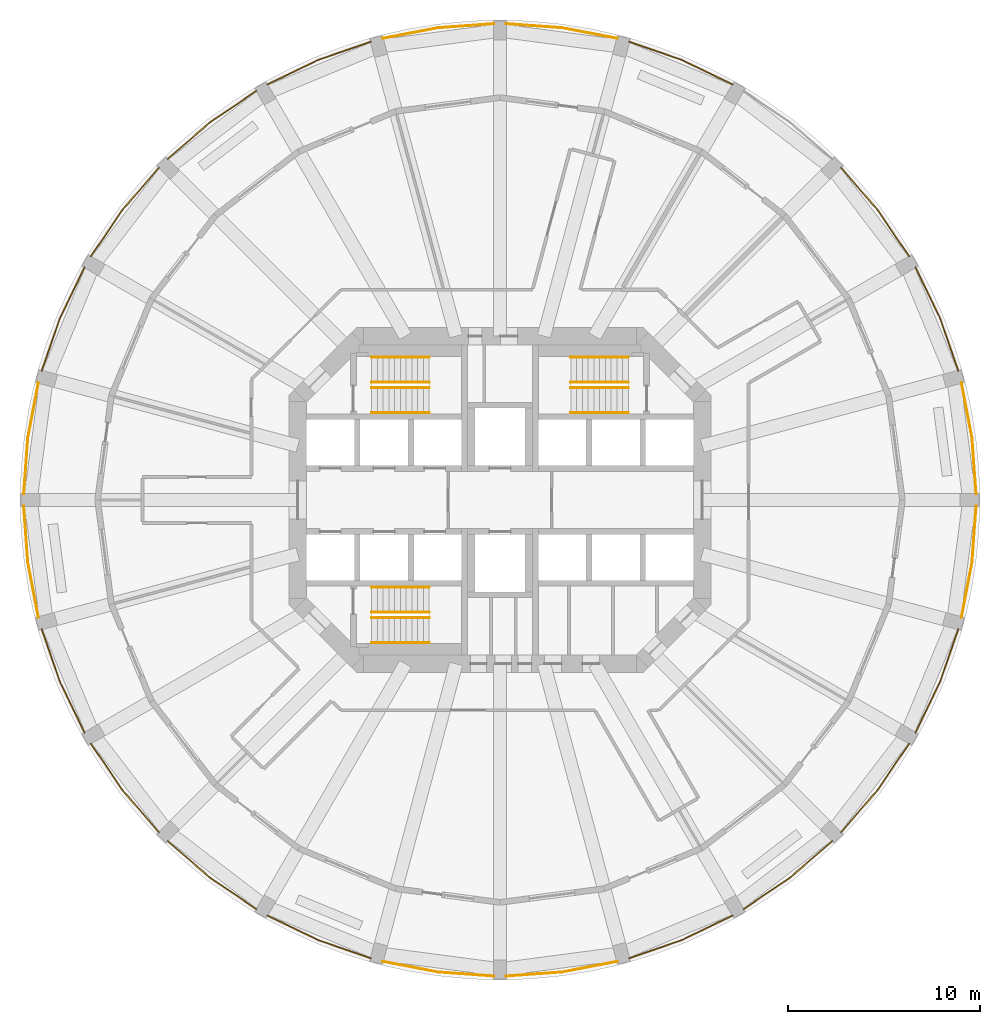
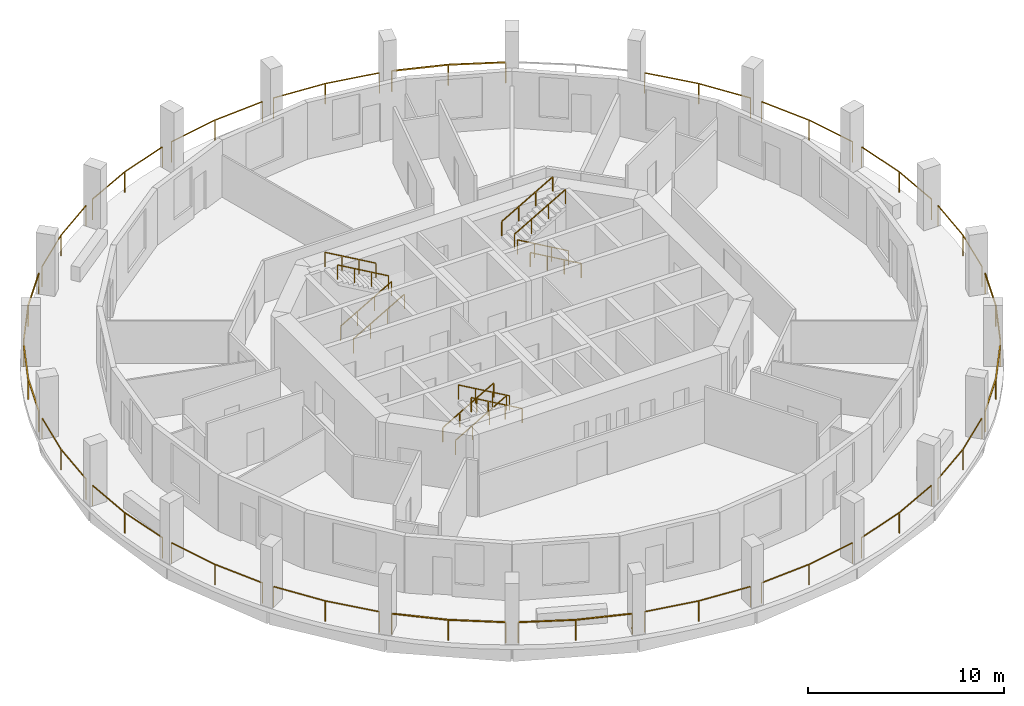
# One storey, part 7 of 8: 35 railings.
"""IFC4 building model written with IfcOpenShell, lengths in metres."""

from ifc_helpers import new_model, si_unit, direction, frame, origin, origin_2d, place, context, subcontext, project, spatial, rectangle, extrude, material, type_object, element, save


model = new_model("IFC4")

# Units and contexts
model_context = context("Model", 3, precision=1e-05, world=origin(), true_north=direction((0.0, 1.0)))
body_context = subcontext(model_context, "Body", "Model", "MODEL_VIEW")
ifc_project = project(units=[si_unit("LENGTHUNIT", "METRE"), si_unit("AREAUNIT", "SQUARE_METRE"), si_unit("VOLUMEUNIT", "CUBIC_METRE"), si_unit("PLANEANGLEUNIT", "RADIAN"), si_unit("MASSUNIT", "GRAM", prefix="KILO")], contexts=[model_context])

# Site, building, storey
site_placement = place(None, origin())
site = spatial("IfcSite", under=ifc_project, at=site_placement, CompositionType="ELEMENT")
building_placement = place(site_placement, origin())
building = spatial("IfcBuilding", under=site, at=building_placement, Name="Torre Triforio", CompositionType="ELEMENT")
storey_placement = place(building_placement, frame((0.0, 0.0, 142.800048828125)))
storey = spatial("IfcBuildingStorey", under=building, at=storey_placement, Name="L32", CompositionType="ELEMENT", Elevation=142.800048828125)

# Railings
ifc_material = material(Name="Stainless steel AISI 316", Category="steel")
railing_type_1 = type_object("IfcRailingType", Name="HANDRAIL 920", PredefinedType="HANDRAIL", material=ifc_material)
for number, where, name in (
    (1, (-6.699951171875, 4.550048828125, 0.172607421875), "Handrail ST1"),
    (2, (-6.699951171875, 5.85009765625, 0.172607421875), "Handrail ST1"),
):
    element("IfcRailing", number, at=place(storey_placement, frame(where)), inside=storey, type_object=railing_type_1, Name=name, PredefinedType="HANDRAIL", context=body_context, shape_type="SweptSolid", body=[
        extrude(rectangle(XDim=0.048095703125, YDim=0.048095703125, at=origin_2d()), frame((0.0, 0.0, 0.89599609375), z_axis=(0.866619684472, 0.0, 0.498969260062), x_axis=(0.0, 1.0, 0.0)), (0.0, 0.0, 1.0), 3.461669921875),
        extrude(rectangle(XDim=0.0419921875, YDim=0.0419921875, at=origin_2d()), origin(), (0.0, 0.0, 1.0), 0.871826171875),
        extrude(rectangle(XDim=0.0419921875, YDim=0.0419921875, at=origin_2d()), frame((1.0, 0.0, 0.57568359375)), (0.0, 0.0, 1.0), 0.871826171875),
        extrude(rectangle(XDim=0.0419921875, YDim=0.0419921875, at=origin_2d()), frame((2.0, 0.0, 1.151611328125)), (0.0, 0.0, 1.0), 0.871826171875),
        extrude(rectangle(XDim=0.0419921875, YDim=0.0419921875, at=origin_2d()), frame((3.0, 0.0, 1.727294921875)), (0.0, 0.0, 1.0), 0.871826171875),
    ])
for number, where, name in (
    (3, (-3.699951171875, 7.449951171875, 2.07275390625), "Handrail ST1"),
    (4, (-3.699951171875, 6.14990234375, 2.07275390625), "Handrail ST1"),
    (5, (6.699951171875, 4.550048828125, 0.172607421875), "Handrail ST2"),
    (6, (6.699951171875, 5.85009765625, 0.172607421875), "Handrail ST2"),
):
    element("IfcRailing", number, at=place(storey_placement, frame(where)), inside=storey, type_object=railing_type_1, Name=name, PredefinedType="HANDRAIL", context=body_context, shape_type="SweptSolid", body=[
        extrude(rectangle(XDim=0.048095703125, YDim=0.048095703125, at=origin_2d()), frame((0.0, 0.0, 0.89599609375), z_axis=(-0.866619684472, 0.0, 0.498969260062), x_axis=(0.0, -1.0, 0.0)), (0.0, 0.0, 1.0), 3.461669921875),
        extrude(rectangle(XDim=0.0419921875, YDim=0.0419921875, at=origin_2d()), origin(), (0.0, 0.0, 1.0), 0.871826171875),
        extrude(rectangle(XDim=0.0419921875, YDim=0.0419921875, at=origin_2d()), frame((-1.0, 0.0, 0.57568359375)), (0.0, 0.0, 1.0), 0.871826171875),
        extrude(rectangle(XDim=0.0419921875, YDim=0.0419921875, at=origin_2d()), frame((-2.0, 0.0, 1.151611328125)), (0.0, 0.0, 1.0), 0.871826171875),
        extrude(rectangle(XDim=0.0419921875, YDim=0.0419921875, at=origin_2d()), frame((-3.0, 0.0, 1.727294921875)), (0.0, 0.0, 1.0), 0.871826171875),
    ])
for number, where, name in (
    (7, (3.699951171875, 7.449951171875, 2.07275390625), "Handrail ST2"),
    (8, (3.699951171875, 6.14990234375, 2.07275390625), "Handrail ST2"),
    (9, (-6.699951171875, -4.550048828125, 0.172607421875), "Handrail ST3"),
    (10, (-6.699951171875, -5.85009765625, 0.172607421875), "Handrail ST3"),
):
    element("IfcRailing", number, at=place(storey_placement, frame(where)), inside=storey, type_object=railing_type_1, Name=name, PredefinedType="HANDRAIL", context=body_context, shape_type="SweptSolid", body=[
        extrude(rectangle(XDim=0.048095703125, YDim=0.048095703125, at=origin_2d()), frame((0.0, 0.0, 0.89599609375), z_axis=(0.866619684472, 0.0, 0.498969260062), x_axis=(0.0, 1.0, 0.0)), (0.0, 0.0, 1.0), 3.461669921875),
        extrude(rectangle(XDim=0.0419921875, YDim=0.0419921875, at=origin_2d()), origin(), (0.0, 0.0, 1.0), 0.871826171875),
        extrude(rectangle(XDim=0.0419921875, YDim=0.0419921875, at=origin_2d()), frame((1.0, 0.0, 0.57568359375)), (0.0, 0.0, 1.0), 0.871826171875),
        extrude(rectangle(XDim=0.0419921875, YDim=0.0419921875, at=origin_2d()), frame((2.0, 0.0, 1.151611328125)), (0.0, 0.0, 1.0), 0.871826171875),
        extrude(rectangle(XDim=0.0419921875, YDim=0.0419921875, at=origin_2d()), frame((3.0, 0.0, 1.727294921875)), (0.0, 0.0, 1.0), 0.871826171875),
    ])
for number, where, name in (
    (11, (-3.699951171875, -7.449951171875, 2.07275390625), "Handrail ST3"),
    (12, (-3.699951171875, -6.14990234375, 2.07275390625), "Handrail ST3"),
):
    element("IfcRailing", number, at=place(storey_placement, frame(where)), inside=storey, type_object=railing_type_1, Name=name, PredefinedType="HANDRAIL", context=body_context, shape_type="SweptSolid", body=[
        extrude(rectangle(XDim=0.048095703125, YDim=0.048095703125, at=origin_2d()), frame((0.0, 0.0, 0.89599609375), z_axis=(-0.866619684472, 0.0, 0.498969260062), x_axis=(0.0, -1.0, 0.0)), (0.0, 0.0, 1.0), 3.461669921875),
        extrude(rectangle(XDim=0.0419921875, YDim=0.0419921875, at=origin_2d()), origin(), (0.0, 0.0, 1.0), 0.871826171875),
        extrude(rectangle(XDim=0.0419921875, YDim=0.0419921875, at=origin_2d()), frame((-1.0, 0.0, 0.57568359375)), (0.0, 0.0, 1.0), 0.871826171875),
        extrude(rectangle(XDim=0.0419921875, YDim=0.0419921875, at=origin_2d()), frame((-2.0, 0.0, 1.151611328125)), (0.0, 0.0, 1.0), 0.871826171875),
        extrude(rectangle(XDim=0.0419921875, YDim=0.0419921875, at=origin_2d()), frame((-3.0, 0.0, 1.727294921875)), (0.0, 0.0, 1.0), 0.871826171875),
    ])
railing_type_2 = type_object("IfcRailingType", Name="Loggia guard 1300", PredefinedType="GUARDRAIL", material=ifc_material)
railing_1_placement = place(storey_placement, frame((24.85009765625, 0.320068359375, 0.0)))
element("IfcRailing", 13, at=railing_1_placement, inside=storey, type_object=railing_type_2, Name="Loggia guard L32 bay 01", PredefinedType="GUARDRAIL", context=body_context, shape_type="SweptSolid", body=[
    extrude(rectangle(XDim=0.050048828125, YDim=0.050048828125, at=origin_2d()), frame((0.0, 0.0, 1.27490234375), z_axis=(-0.072543227511, 0.997365269168, 0.0), x_axis=(-0.997365269168, -0.072543227511, 0.0)), (0.0, 0.0, 1.0), 2.931396484375),
    extrude(rectangle(XDim=0.050048828125, YDim=0.050048828125, at=origin_2d()), frame((-0.212646484375, 2.923583984375, 1.27490234375), z_axis=(-0.188068851895, 0.982155846568, 0.0), x_axis=(-0.982155846568, -0.188068851895, 0.0)), (0.0, 0.0, 1.0), 2.93115234375),
    extrude(rectangle(XDim=0.0400390625, YDim=0.0400390625, at=origin_2d()), origin(), (0.0, 0.0, 1.0), 1.25),
    extrude(rectangle(XDim=0.0400390625, YDim=0.0400390625, at=origin_2d()), frame((-0.212646484375, 2.923583984375, 0.0)), (0.0, 0.0, 1.0), 1.25),
    extrude(rectangle(XDim=0.0400390625, YDim=0.0400390625, at=origin_2d()), frame((-0.763916015625, 5.802490234375, 0.0)), (0.0, 0.0, 1.0), 1.25),
])
railing_2_placement = place(storey_placement, frame((23.92041015625, 6.74072265625, 0.0)))
element("IfcRailing", 14, at=railing_2_placement, inside=storey, type_object=railing_type_2, Name="Loggia guard L32 bay 02", PredefinedType="GUARDRAIL", context=body_context, shape_type="SweptSolid", body=[
    extrude(rectangle(XDim=0.050048828125, YDim=0.050048828125, at=origin_2d()), frame((0.0, 0.0, 1.27490234375), z_axis=(-0.328145883403, 0.944627058264, 0.0), x_axis=(-0.944627058264, -0.328145883403, 0.0)), (0.0, 0.0, 1.0), 2.931396484375),
    extrude(rectangle(XDim=0.050048828125, YDim=0.050048828125, at=origin_2d()), frame((-0.9619140625, 2.76904296875, 1.27490234375), z_axis=(-0.435917913275, 0.899986429279, 0.0), x_axis=(-0.899986429279, -0.435917913275, 0.0)), (0.0, 0.0, 1.0), 2.931396484375),
    extrude(rectangle(XDim=0.0400390625, YDim=0.0400390625, at=origin_2d()), origin(), (0.0, 0.0, 1.0), 1.25),
    extrude(rectangle(XDim=0.0400390625, YDim=0.0400390625, at=origin_2d()), frame((-0.9619140625, 2.76904296875, 0.0)), (0.0, 0.0, 1.0), 1.25),
    extrude(rectangle(XDim=0.0400390625, YDim=0.0400390625, at=origin_2d()), frame((-2.23974609375, 5.4072265625, 0.0)), (0.0, 0.0, 1.0), 1.25),
])
railing_3_placement = place(storey_placement, frame((21.360595703125, 12.7021484375, 0.0)))
element("IfcRailing", 15, at=railing_3_placement, inside=storey, type_object=railing_type_2, Name="Loggia guard L32 bay 03", PredefinedType="GUARDRAIL", context=body_context, shape_type="SweptSolid", body=[
    extrude(rectangle(XDim=0.050048828125, YDim=0.050048828125, at=origin_2d()), frame((0.0, 0.0, 1.27490234375), z_axis=(-0.561466791934, 0.827499269821, 0.0), x_axis=(-0.827499269821, -0.561466791934, 0.0)), (0.0, 0.0, 1.0), 2.93115234375),
    extrude(rectangle(XDim=0.050048828125, YDim=0.050048828125, at=origin_2d()), frame((-1.645751953125, 2.425537109375, 1.27490234375), z_axis=(-0.653981928353, 0.756510170049, 0.0), x_axis=(-0.756510170049, -0.653981928353, 0.0)), (0.0, 0.0, 1.0), 2.93115234375),
    extrude(rectangle(XDim=0.0400390625, YDim=0.0400390625, at=origin_2d()), origin(), (0.0, 0.0, 1.0), 1.25),
    extrude(rectangle(XDim=0.0400390625, YDim=0.0400390625, at=origin_2d()), frame((-1.645751953125, 2.425537109375, 0.0)), (0.0, 0.0, 1.0), 1.25),
    extrude(rectangle(XDim=0.0400390625, YDim=0.0400390625, at=origin_2d()), frame((-3.562744140625, 4.64306640625, 0.0)), (0.0, 0.0, 1.0), 1.25),
])
railing_4_placement = place(storey_placement, frame((12.14794921875, 21.6806640625, 0.0)))
element("IfcRailing", 16, at=railing_4_placement, inside=storey, type_object=railing_type_2, Name="Loggia guard L32 bay 05", PredefinedType="GUARDRAIL", context=body_context, shape_type="SweptSolid", body=[
    extrude(rectangle(XDim=0.050048828125, YDim=0.050048828125, at=origin_2d()), frame((0.0, 0.0, 1.27490234375), z_axis=(-0.899986429279, 0.435917913275, 0.0), x_axis=(-0.435917913275, -0.899986429279, 0.0)), (0.0, 0.0, 1.0), 2.931396484375),
    extrude(rectangle(XDim=0.050048828125, YDim=0.050048828125, at=origin_2d()), frame((-2.63818359375, 1.27783203125, 1.27490234375), z_axis=(-0.944627058264, 0.328145883403, 0.0), x_axis=(-0.328145883403, -0.944627058264, 0.0)), (0.0, 0.0, 1.0), 2.931396484375),
    extrude(rectangle(XDim=0.0400390625, YDim=0.0400390625, at=origin_2d()), origin(), (0.0, 0.0, 1.0), 1.25),
    extrude(rectangle(XDim=0.0400390625, YDim=0.0400390625, at=origin_2d()), frame((-2.63818359375, 1.27783203125, 0.0)), (0.0, 0.0, 1.0), 1.25),
    extrude(rectangle(XDim=0.0400390625, YDim=0.0400390625, at=origin_2d()), frame((-5.4072265625, 2.23974609375, 0.0)), (0.0, 0.0, 1.0), 1.25),
])
railing_5_placement = place(storey_placement, frame((6.12255859375, 24.086181640625, 0.0)))
element("IfcRailing", 17, at=railing_5_placement, inside=storey, type_object=railing_type_2, Name="Loggia guard L32 bay 06", PredefinedType="GUARDRAIL", context=body_context, shape_type="SweptSolid", body=[
    extrude(rectangle(XDim=0.050048828125, YDim=0.050048828125, at=origin_2d()), frame((0.0, 0.0, 1.27490234375), z_axis=(-0.982155846568, 0.188068851895, 0.0), x_axis=(-0.188068851895, -0.982155846568, 0.0)), (0.0, 0.0, 1.0), 2.93115234375),
    extrude(rectangle(XDim=0.050048828125, YDim=0.050048828125, at=origin_2d()), frame((-2.87890625, 0.55126953125, 1.27490234375), z_axis=(-0.997365269168, 0.072543227511, 0.0), x_axis=(-0.072543227511, -0.997365269168, 0.0)), (0.0, 0.0, 1.0), 2.931396484375),
    extrude(rectangle(XDim=0.0400390625, YDim=0.0400390625, at=origin_2d()), origin(), (0.0, 0.0, 1.0), 1.25),
    extrude(rectangle(XDim=0.0400390625, YDim=0.0400390625, at=origin_2d()), frame((-2.87890625, 0.55126953125, 0.0)), (0.0, 0.0, 1.0), 1.25),
    extrude(rectangle(XDim=0.0400390625, YDim=0.0400390625, at=origin_2d()), frame((-5.802490234375, 0.763916015625, 0.0)), (0.0, 0.0, 1.0), 1.25),
])
railing_6_placement = place(storey_placement, frame((-0.320068359375, 24.85009765625, 0.0)))
element("IfcRailing", 18, at=railing_6_placement, inside=storey, type_object=railing_type_2, Name="Loggia guard L32 bay 07", PredefinedType="GUARDRAIL", context=body_context, shape_type="SweptSolid", body=[
    extrude(rectangle(XDim=0.050048828125, YDim=0.050048828125, at=origin_2d()), frame((0.0, 0.0, 1.27490234375), z_axis=(-0.997365269168, -0.072543227511, 0.0), x_axis=(0.072543227511, -0.997365269168, 0.0)), (0.0, 0.0, 1.0), 2.931396484375),
    extrude(rectangle(XDim=0.050048828125, YDim=0.050048828125, at=origin_2d()), frame((-2.923583984375, -0.212646484375, 1.27490234375), z_axis=(-0.982155846568, -0.188068851895, 0.0), x_axis=(0.188068851895, -0.982155846568, 0.0)), (0.0, 0.0, 1.0), 2.93115234375),
    extrude(rectangle(XDim=0.0400390625, YDim=0.0400390625, at=origin_2d()), origin(), (0.0, 0.0, 1.0), 1.25),
    extrude(rectangle(XDim=0.0400390625, YDim=0.0400390625, at=origin_2d()), frame((-2.923583984375, -0.212646484375, 0.0)), (0.0, 0.0, 1.0), 1.25),
    extrude(rectangle(XDim=0.0400390625, YDim=0.0400390625, at=origin_2d()), frame((-5.802490234375, -0.763916015625, 0.0)), (0.0, 0.0, 1.0), 1.25),
])
railing_7_placement = place(storey_placement, frame((-6.74072265625, 23.92041015625, 0.0)))
element("IfcRailing", 19, at=railing_7_placement, inside=storey, type_object=railing_type_2, Name="Loggia guard L32 bay 08", PredefinedType="GUARDRAIL", context=body_context, shape_type="SweptSolid", body=[
    extrude(rectangle(XDim=0.050048828125, YDim=0.050048828125, at=origin_2d()), frame((0.0, 0.0, 1.27490234375), z_axis=(-0.944627058264, -0.328145883403, 0.0), x_axis=(0.328145883403, -0.944627058264, 0.0)), (0.0, 0.0, 1.0), 2.931396484375),
    extrude(rectangle(XDim=0.050048828125, YDim=0.050048828125, at=origin_2d()), frame((-2.76904296875, -0.9619140625, 1.27490234375), z_axis=(-0.899986429279, -0.435917913275, 0.0), x_axis=(0.435917913275, -0.899986429279, 0.0)), (0.0, 0.0, 1.0), 2.931396484375),
    extrude(rectangle(XDim=0.0400390625, YDim=0.0400390625, at=origin_2d()), origin(), (0.0, 0.0, 1.0), 1.25),
    extrude(rectangle(XDim=0.0400390625, YDim=0.0400390625, at=origin_2d()), frame((-2.76904296875, -0.9619140625, 0.0)), (0.0, 0.0, 1.0), 1.25),
    extrude(rectangle(XDim=0.0400390625, YDim=0.0400390625, at=origin_2d()), frame((-5.4072265625, -2.23974609375, 0.0)), (0.0, 0.0, 1.0), 1.25),
])
railing_8_placement = place(storey_placement, frame((-12.7021484375, 21.360595703125, 0.0)))
element("IfcRailing", 20, at=railing_8_placement, inside=storey, type_object=railing_type_2, Name="Loggia guard L32 bay 09", PredefinedType="GUARDRAIL", context=body_context, shape_type="SweptSolid", body=[
    extrude(rectangle(XDim=0.050048828125, YDim=0.050048828125, at=origin_2d()), frame((0.0, 0.0, 1.27490234375), z_axis=(-0.827499269821, -0.561466791934, 0.0), x_axis=(0.561466791934, -0.827499269821, 0.0)), (0.0, 0.0, 1.0), 2.93115234375),
    extrude(rectangle(XDim=0.050048828125, YDim=0.050048828125, at=origin_2d()), frame((-2.425537109375, -1.645751953125, 1.27490234375), z_axis=(-0.756510170049, -0.653981928353, 0.0), x_axis=(0.653981928353, -0.756510170049, 0.0)), (0.0, 0.0, 1.0), 2.93115234375),
    extrude(rectangle(XDim=0.0400390625, YDim=0.0400390625, at=origin_2d()), origin(), (0.0, 0.0, 1.0), 1.25),
    extrude(rectangle(XDim=0.0400390625, YDim=0.0400390625, at=origin_2d()), frame((-2.425537109375, -1.645751953125, 0.0)), (0.0, 0.0, 1.0), 1.25),
    extrude(rectangle(XDim=0.0400390625, YDim=0.0400390625, at=origin_2d()), frame((-4.64306640625, -3.562744140625, 0.0)), (0.0, 0.0, 1.0), 1.25),
])
railing_9_placement = place(storey_placement, frame((-17.7978515625, 17.34521484375, 0.0)))
element("IfcRailing", 21, at=railing_9_placement, inside=storey, type_object=railing_type_2, Name="Loggia guard L32 bay 10", PredefinedType="GUARDRAIL", context=body_context, shape_type="SweptSolid", body=[
    extrude(rectangle(XDim=0.050048828125, YDim=0.050048828125, at=origin_2d()), frame((0.0, 0.0, 1.27490234375), z_axis=(-0.653981928353, -0.756510170049, 0.0), x_axis=(0.756510170049, -0.653981928353, 0.0)), (0.0, 0.0, 1.0), 2.93115234375),
    extrude(rectangle(XDim=0.050048828125, YDim=0.050048828125, at=origin_2d()), frame((-1.9169921875, -2.217529296875, 1.27490234375), z_axis=(-0.561466791934, -0.827499269821, 0.0), x_axis=(0.827499269821, -0.561466791934, 0.0)), (0.0, 0.0, 1.0), 2.93115234375),
    extrude(rectangle(XDim=0.0400390625, YDim=0.0400390625, at=origin_2d()), origin(), (0.0, 0.0, 1.0), 1.25),
    extrude(rectangle(XDim=0.0400390625, YDim=0.0400390625, at=origin_2d()), frame((-1.9169921875, -2.217529296875, 0.0)), (0.0, 0.0, 1.0), 1.25),
    extrude(rectangle(XDim=0.0400390625, YDim=0.0400390625, at=origin_2d()), frame((-3.562744140625, -4.64306640625, 0.0)), (0.0, 0.0, 1.0), 1.25),
])
railing_10_placement = place(storey_placement, frame((-21.6806640625, 12.14794921875, 0.0)))
element("IfcRailing", 22, at=railing_10_placement, inside=storey, type_object=railing_type_2, Name="Loggia guard L32 bay 11", PredefinedType="GUARDRAIL", context=body_context, shape_type="SweptSolid", body=[
    extrude(rectangle(XDim=0.050048828125, YDim=0.050048828125, at=origin_2d()), frame((0.0, 0.0, 1.27490234375), z_axis=(-0.435917913275, -0.899986429279, 0.0), x_axis=(0.899986429279, -0.435917913275, 0.0)), (0.0, 0.0, 1.0), 2.931396484375),
    extrude(rectangle(XDim=0.050048828125, YDim=0.050048828125, at=origin_2d()), frame((-1.27783203125, -2.63818359375, 1.27490234375), z_axis=(-0.328145883403, -0.944627058264, 0.0), x_axis=(0.944627058264, -0.328145883403, 0.0)), (0.0, 0.0, 1.0), 2.931396484375),
    extrude(rectangle(XDim=0.0400390625, YDim=0.0400390625, at=origin_2d()), origin(), (0.0, 0.0, 1.0), 1.25),
    extrude(rectangle(XDim=0.0400390625, YDim=0.0400390625, at=origin_2d()), frame((-1.27783203125, -2.63818359375, 0.0)), (0.0, 0.0, 1.0), 1.25),
    extrude(rectangle(XDim=0.0400390625, YDim=0.0400390625, at=origin_2d()), frame((-2.23974609375, -5.4072265625, 0.0)), (0.0, 0.0, 1.0), 1.25),
])
railing_11_placement = place(storey_placement, frame((-24.086181640625, 6.12255859375, 0.0)))
element("IfcRailing", 23, at=railing_11_placement, inside=storey, type_object=railing_type_2, Name="Loggia guard L32 bay 12", PredefinedType="GUARDRAIL", context=body_context, shape_type="SweptSolid", body=[
    extrude(rectangle(XDim=0.050048828125, YDim=0.050048828125, at=origin_2d()), frame((0.0, 0.0, 1.27490234375), z_axis=(-0.188068851895, -0.982155846568, 0.0), x_axis=(0.982155846568, -0.188068851895, 0.0)), (0.0, 0.0, 1.0), 2.93115234375),
    extrude(rectangle(XDim=0.050048828125, YDim=0.050048828125, at=origin_2d()), frame((-0.55126953125, -2.87890625, 1.27490234375), z_axis=(-0.072543227511, -0.997365269168, 0.0), x_axis=(0.997365269168, -0.072543227511, 0.0)), (0.0, 0.0, 1.0), 2.931396484375),
    extrude(rectangle(XDim=0.0400390625, YDim=0.0400390625, at=origin_2d()), origin(), (0.0, 0.0, 1.0), 1.25),
    extrude(rectangle(XDim=0.0400390625, YDim=0.0400390625, at=origin_2d()), frame((-0.55126953125, -2.87890625, 0.0)), (0.0, 0.0, 1.0), 1.25),
    extrude(rectangle(XDim=0.0400390625, YDim=0.0400390625, at=origin_2d()), frame((-0.763916015625, -5.802490234375, 0.0)), (0.0, 0.0, 1.0), 1.25),
])
railing_12_placement = place(storey_placement, frame((-24.85009765625, -0.320068359375, 0.0)))
element("IfcRailing", 24, at=railing_12_placement, inside=storey, type_object=railing_type_2, Name="Loggia guard L32 bay 13", PredefinedType="GUARDRAIL", context=body_context, shape_type="SweptSolid", body=[
    extrude(rectangle(XDim=0.050048828125, YDim=0.050048828125, at=origin_2d()), frame((0.0, 0.0, 1.27490234375), z_axis=(0.072543227511, -0.997365269168, 0.0), x_axis=(0.997365269168, 0.072543227511, 0.0)), (0.0, 0.0, 1.0), 2.931396484375),
    extrude(rectangle(XDim=0.050048828125, YDim=0.050048828125, at=origin_2d()), frame((0.212646484375, -2.923583984375, 1.27490234375), z_axis=(0.188068851895, -0.982155846568, 0.0), x_axis=(0.982155846568, 0.188068851895, 0.0)), (0.0, 0.0, 1.0), 2.93115234375),
    extrude(rectangle(XDim=0.0400390625, YDim=0.0400390625, at=origin_2d()), origin(), (0.0, 0.0, 1.0), 1.25),
    extrude(rectangle(XDim=0.0400390625, YDim=0.0400390625, at=origin_2d()), frame((0.212646484375, -2.923583984375, 0.0)), (0.0, 0.0, 1.0), 1.25),
    extrude(rectangle(XDim=0.0400390625, YDim=0.0400390625, at=origin_2d()), frame((0.763916015625, -5.802490234375, 0.0)), (0.0, 0.0, 1.0), 1.25),
])
railing_13_placement = place(storey_placement, frame((-23.92041015625, -6.74072265625, 0.0)))
element("IfcRailing", 25, at=railing_13_placement, inside=storey, type_object=railing_type_2, Name="Loggia guard L32 bay 14", PredefinedType="GUARDRAIL", context=body_context, shape_type="SweptSolid", body=[
    extrude(rectangle(XDim=0.050048828125, YDim=0.050048828125, at=origin_2d()), frame((0.0, 0.0, 1.27490234375), z_axis=(0.328145883403, -0.944627058264, 0.0), x_axis=(0.944627058264, 0.328145883403, 0.0)), (0.0, 0.0, 1.0), 2.931396484375),
    extrude(rectangle(XDim=0.050048828125, YDim=0.050048828125, at=origin_2d()), frame((0.9619140625, -2.76904296875, 1.27490234375), z_axis=(0.435917913275, -0.899986429279, 0.0), x_axis=(0.899986429279, 0.435917913275, 0.0)), (0.0, 0.0, 1.0), 2.931396484375),
    extrude(rectangle(XDim=0.0400390625, YDim=0.0400390625, at=origin_2d()), origin(), (0.0, 0.0, 1.0), 1.25),
    extrude(rectangle(XDim=0.0400390625, YDim=0.0400390625, at=origin_2d()), frame((0.9619140625, -2.76904296875, 0.0)), (0.0, 0.0, 1.0), 1.25),
    extrude(rectangle(XDim=0.0400390625, YDim=0.0400390625, at=origin_2d()), frame((2.23974609375, -5.4072265625, 0.0)), (0.0, 0.0, 1.0), 1.25),
])
railing_14_placement = place(storey_placement, frame((-21.360595703125, -12.7021484375, 0.0)))
element("IfcRailing", 26, at=railing_14_placement, inside=storey, type_object=railing_type_2, Name="Loggia guard L32 bay 15", PredefinedType="GUARDRAIL", context=body_context, shape_type="SweptSolid", body=[
    extrude(rectangle(XDim=0.050048828125, YDim=0.050048828125, at=origin_2d()), frame((0.0, 0.0, 1.27490234375), z_axis=(0.561466791934, -0.827499269821, 0.0), x_axis=(0.827499269821, 0.561466791934, 0.0)), (0.0, 0.0, 1.0), 2.93115234375),
    extrude(rectangle(XDim=0.050048828125, YDim=0.050048828125, at=origin_2d()), frame((1.645751953125, -2.425537109375, 1.27490234375), z_axis=(0.653981928353, -0.756510170049, 0.0), x_axis=(0.756510170049, 0.653981928353, 0.0)), (0.0, 0.0, 1.0), 2.93115234375),
    extrude(rectangle(XDim=0.0400390625, YDim=0.0400390625, at=origin_2d()), origin(), (0.0, 0.0, 1.0), 1.25),
    extrude(rectangle(XDim=0.0400390625, YDim=0.0400390625, at=origin_2d()), frame((1.645751953125, -2.425537109375, 0.0)), (0.0, 0.0, 1.0), 1.25),
    extrude(rectangle(XDim=0.0400390625, YDim=0.0400390625, at=origin_2d()), frame((3.562744140625, -4.64306640625, 0.0)), (0.0, 0.0, 1.0), 1.25),
])
railing_15_placement = place(storey_placement, frame((-17.34521484375, -17.7978515625, 0.0)))
element("IfcRailing", 27, at=railing_15_placement, inside=storey, type_object=railing_type_2, Name="Loggia guard L32 bay 16", PredefinedType="GUARDRAIL", context=body_context, shape_type="SweptSolid", body=[
    extrude(rectangle(XDim=0.050048828125, YDim=0.050048828125, at=origin_2d()), frame((0.0, 0.0, 1.27490234375), z_axis=(0.756510170049, -0.653981928353, 0.0), x_axis=(0.653981928353, 0.756510170049, 0.0)), (0.0, 0.0, 1.0), 2.93115234375),
    extrude(rectangle(XDim=0.050048828125, YDim=0.050048828125, at=origin_2d()), frame((2.217529296875, -1.9169921875, 1.27490234375), z_axis=(0.827499269821, -0.561466791934, 0.0), x_axis=(0.561466791934, 0.827499269821, 0.0)), (0.0, 0.0, 1.0), 2.93115234375),
    extrude(rectangle(XDim=0.0400390625, YDim=0.0400390625, at=origin_2d()), origin(), (0.0, 0.0, 1.0), 1.25),
    extrude(rectangle(XDim=0.0400390625, YDim=0.0400390625, at=origin_2d()), frame((2.217529296875, -1.9169921875, 0.0)), (0.0, 0.0, 1.0), 1.25),
    extrude(rectangle(XDim=0.0400390625, YDim=0.0400390625, at=origin_2d()), frame((4.64306640625, -3.562744140625, 0.0)), (0.0, 0.0, 1.0), 1.25),
])
railing_16_placement = place(storey_placement, frame((-12.14794921875, -21.6806640625, 0.0)))
element("IfcRailing", 28, at=railing_16_placement, inside=storey, type_object=railing_type_2, Name="Loggia guard L32 bay 17", PredefinedType="GUARDRAIL", context=body_context, shape_type="SweptSolid", body=[
    extrude(rectangle(XDim=0.050048828125, YDim=0.050048828125, at=origin_2d()), frame((0.0, 0.0, 1.27490234375), z_axis=(0.899986429279, -0.435917913275, 0.0), x_axis=(0.435917913275, 0.899986429279, 0.0)), (0.0, 0.0, 1.0), 2.931396484375),
    extrude(rectangle(XDim=0.050048828125, YDim=0.050048828125, at=origin_2d()), frame((2.63818359375, -1.27783203125, 1.27490234375), z_axis=(0.944627058264, -0.328145883403, 0.0), x_axis=(0.328145883403, 0.944627058264, 0.0)), (0.0, 0.0, 1.0), 2.931396484375),
    extrude(rectangle(XDim=0.0400390625, YDim=0.0400390625, at=origin_2d()), origin(), (0.0, 0.0, 1.0), 1.25),
    extrude(rectangle(XDim=0.0400390625, YDim=0.0400390625, at=origin_2d()), frame((2.63818359375, -1.27783203125, 0.0)), (0.0, 0.0, 1.0), 1.25),
    extrude(rectangle(XDim=0.0400390625, YDim=0.0400390625, at=origin_2d()), frame((5.4072265625, -2.23974609375, 0.0)), (0.0, 0.0, 1.0), 1.25),
])
railing_17_placement = place(storey_placement, frame((-6.12255859375, -24.086181640625, 0.0)))
element("IfcRailing", 29, at=railing_17_placement, inside=storey, type_object=railing_type_2, Name="Loggia guard L32 bay 18", PredefinedType="GUARDRAIL", context=body_context, shape_type="SweptSolid", body=[
    extrude(rectangle(XDim=0.050048828125, YDim=0.050048828125, at=origin_2d()), frame((0.0, 0.0, 1.27490234375), z_axis=(0.982155846568, -0.188068851895, 0.0), x_axis=(0.188068851895, 0.982155846568, 0.0)), (0.0, 0.0, 1.0), 2.93115234375),
    extrude(rectangle(XDim=0.050048828125, YDim=0.050048828125, at=origin_2d()), frame((2.87890625, -0.55126953125, 1.27490234375), z_axis=(0.997365269168, -0.072543227511, 0.0), x_axis=(0.072543227511, 0.997365269168, 0.0)), (0.0, 0.0, 1.0), 2.931396484375),
    extrude(rectangle(XDim=0.0400390625, YDim=0.0400390625, at=origin_2d()), origin(), (0.0, 0.0, 1.0), 1.25),
    extrude(rectangle(XDim=0.0400390625, YDim=0.0400390625, at=origin_2d()), frame((2.87890625, -0.55126953125, 0.0)), (0.0, 0.0, 1.0), 1.25),
    extrude(rectangle(XDim=0.0400390625, YDim=0.0400390625, at=origin_2d()), frame((5.802490234375, -0.763916015625, 0.0)), (0.0, 0.0, 1.0), 1.25),
])
railing_18_placement = place(storey_placement, frame((0.320068359375, -24.85009765625, 0.0)))
element("IfcRailing", 30, at=railing_18_placement, inside=storey, type_object=railing_type_2, Name="Loggia guard L32 bay 19", PredefinedType="GUARDRAIL", context=body_context, shape_type="SweptSolid", body=[
    extrude(rectangle(XDim=0.050048828125, YDim=0.050048828125, at=origin_2d()), frame((0.0, 0.0, 1.27490234375), z_axis=(0.997365269168, 0.072543227511, 0.0), x_axis=(-0.072543227511, 0.997365269168, 0.0)), (0.0, 0.0, 1.0), 2.931396484375),
    extrude(rectangle(XDim=0.050048828125, YDim=0.050048828125, at=origin_2d()), frame((2.923583984375, 0.212646484375, 1.27490234375), z_axis=(0.982155846568, 0.188068851895, 0.0), x_axis=(-0.188068851895, 0.982155846568, 0.0)), (0.0, 0.0, 1.0), 2.93115234375),
    extrude(rectangle(XDim=0.0400390625, YDim=0.0400390625, at=origin_2d()), origin(), (0.0, 0.0, 1.0), 1.25),
    extrude(rectangle(XDim=0.0400390625, YDim=0.0400390625, at=origin_2d()), frame((2.923583984375, 0.212646484375, 0.0)), (0.0, 0.0, 1.0), 1.25),
    extrude(rectangle(XDim=0.0400390625, YDim=0.0400390625, at=origin_2d()), frame((5.802490234375, 0.763916015625, 0.0)), (0.0, 0.0, 1.0), 1.25),
])
railing_19_placement = place(storey_placement, frame((6.74072265625, -23.92041015625, 0.0)))
element("IfcRailing", 31, at=railing_19_placement, inside=storey, type_object=railing_type_2, Name="Loggia guard L32 bay 20", PredefinedType="GUARDRAIL", context=body_context, shape_type="SweptSolid", body=[
    extrude(rectangle(XDim=0.050048828125, YDim=0.050048828125, at=origin_2d()), frame((0.0, 0.0, 1.27490234375), z_axis=(0.944627058264, 0.328145883403, 0.0), x_axis=(-0.328145883403, 0.944627058264, 0.0)), (0.0, 0.0, 1.0), 2.931396484375),
    extrude(rectangle(XDim=0.050048828125, YDim=0.050048828125, at=origin_2d()), frame((2.76904296875, 0.9619140625, 1.27490234375), z_axis=(0.899986429279, 0.435917913275, 0.0), x_axis=(-0.435917913275, 0.899986429279, 0.0)), (0.0, 0.0, 1.0), 2.931396484375),
    extrude(rectangle(XDim=0.0400390625, YDim=0.0400390625, at=origin_2d()), origin(), (0.0, 0.0, 1.0), 1.25),
    extrude(rectangle(XDim=0.0400390625, YDim=0.0400390625, at=origin_2d()), frame((2.76904296875, 0.9619140625, 0.0)), (0.0, 0.0, 1.0), 1.25),
    extrude(rectangle(XDim=0.0400390625, YDim=0.0400390625, at=origin_2d()), frame((5.4072265625, 2.23974609375, 0.0)), (0.0, 0.0, 1.0), 1.25),
])
railing_20_placement = place(storey_placement, frame((12.7021484375, -21.360595703125, 0.0)))
element("IfcRailing", 32, at=railing_20_placement, inside=storey, type_object=railing_type_2, Name="Loggia guard L32 bay 21", PredefinedType="GUARDRAIL", context=body_context, shape_type="SweptSolid", body=[
    extrude(rectangle(XDim=0.050048828125, YDim=0.050048828125, at=origin_2d()), frame((0.0, 0.0, 1.27490234375), z_axis=(0.827499269821, 0.561466791934, 0.0), x_axis=(-0.561466791934, 0.827499269821, 0.0)), (0.0, 0.0, 1.0), 2.93115234375),
    extrude(rectangle(XDim=0.050048828125, YDim=0.050048828125, at=origin_2d()), frame((2.425537109375, 1.645751953125, 1.27490234375), z_axis=(0.756510170049, 0.653981928353, 0.0), x_axis=(-0.653981928353, 0.756510170049, 0.0)), (0.0, 0.0, 1.0), 2.93115234375),
    extrude(rectangle(XDim=0.0400390625, YDim=0.0400390625, at=origin_2d()), origin(), (0.0, 0.0, 1.0), 1.25),
    extrude(rectangle(XDim=0.0400390625, YDim=0.0400390625, at=origin_2d()), frame((2.425537109375, 1.645751953125, 0.0)), (0.0, 0.0, 1.0), 1.25),
    extrude(rectangle(XDim=0.0400390625, YDim=0.0400390625, at=origin_2d()), frame((4.64306640625, 3.562744140625, 0.0)), (0.0, 0.0, 1.0), 1.25),
])
railing_21_placement = place(storey_placement, frame((17.7978515625, -17.34521484375, 0.0)))
element("IfcRailing", 33, at=railing_21_placement, inside=storey, type_object=railing_type_2, Name="Loggia guard L32 bay 22", PredefinedType="GUARDRAIL", context=body_context, shape_type="SweptSolid", body=[
    extrude(rectangle(XDim=0.050048828125, YDim=0.050048828125, at=origin_2d()), frame((0.0, 0.0, 1.27490234375), z_axis=(0.653981928353, 0.756510170049, 0.0), x_axis=(-0.756510170049, 0.653981928353, 0.0)), (0.0, 0.0, 1.0), 2.93115234375),
    extrude(rectangle(XDim=0.050048828125, YDim=0.050048828125, at=origin_2d()), frame((1.9169921875, 2.217529296875, 1.27490234375), z_axis=(0.561466791934, 0.827499269821, 0.0), x_axis=(-0.827499269821, 0.561466791934, 0.0)), (0.0, 0.0, 1.0), 2.93115234375),
    extrude(rectangle(XDim=0.0400390625, YDim=0.0400390625, at=origin_2d()), origin(), (0.0, 0.0, 1.0), 1.25),
    extrude(rectangle(XDim=0.0400390625, YDim=0.0400390625, at=origin_2d()), frame((1.9169921875, 2.217529296875, 0.0)), (0.0, 0.0, 1.0), 1.25),
    extrude(rectangle(XDim=0.0400390625, YDim=0.0400390625, at=origin_2d()), frame((3.562744140625, 4.64306640625, 0.0)), (0.0, 0.0, 1.0), 1.25),
])
railing_22_placement = place(storey_placement, frame((21.6806640625, -12.14794921875, 0.0)))
element("IfcRailing", 34, at=railing_22_placement, inside=storey, type_object=railing_type_2, Name="Loggia guard L32 bay 23", PredefinedType="GUARDRAIL", context=body_context, shape_type="SweptSolid", body=[
    extrude(rectangle(XDim=0.050048828125, YDim=0.050048828125, at=origin_2d()), frame((0.0, 0.0, 1.27490234375), z_axis=(0.435917913275, 0.899986429279, 0.0), x_axis=(-0.899986429279, 0.435917913275, 0.0)), (0.0, 0.0, 1.0), 2.931396484375),
    extrude(rectangle(XDim=0.050048828125, YDim=0.050048828125, at=origin_2d()), frame((1.27783203125, 2.63818359375, 1.27490234375), z_axis=(0.328145883403, 0.944627058264, 0.0), x_axis=(-0.944627058264, 0.328145883403, 0.0)), (0.0, 0.0, 1.0), 2.931396484375),
    extrude(rectangle(XDim=0.0400390625, YDim=0.0400390625, at=origin_2d()), origin(), (0.0, 0.0, 1.0), 1.25),
    extrude(rectangle(XDim=0.0400390625, YDim=0.0400390625, at=origin_2d()), frame((1.27783203125, 2.63818359375, 0.0)), (0.0, 0.0, 1.0), 1.25),
    extrude(rectangle(XDim=0.0400390625, YDim=0.0400390625, at=origin_2d()), frame((2.23974609375, 5.4072265625, 0.0)), (0.0, 0.0, 1.0), 1.25),
])
railing_23_placement = place(storey_placement, frame((24.086181640625, -6.12255859375, 0.0)))
element("IfcRailing", 35, at=railing_23_placement, inside=storey, type_object=railing_type_2, Name="Loggia guard L32 bay 24", PredefinedType="GUARDRAIL", context=body_context, shape_type="SweptSolid", body=[
    extrude(rectangle(XDim=0.050048828125, YDim=0.050048828125, at=origin_2d()), frame((0.0, 0.0, 1.27490234375), z_axis=(0.188068851895, 0.982155846568, 0.0), x_axis=(-0.982155846568, 0.188068851895, 0.0)), (0.0, 0.0, 1.0), 2.93115234375),
    extrude(rectangle(XDim=0.050048828125, YDim=0.050048828125, at=origin_2d()), frame((0.55126953125, 2.87890625, 1.27490234375), z_axis=(0.072543227511, 0.997365269168, 0.0), x_axis=(-0.997365269168, 0.072543227511, 0.0)), (0.0, 0.0, 1.0), 2.931396484375),
    extrude(rectangle(XDim=0.0400390625, YDim=0.0400390625, at=origin_2d()), origin(), (0.0, 0.0, 1.0), 1.25),
    extrude(rectangle(XDim=0.0400390625, YDim=0.0400390625, at=origin_2d()), frame((0.55126953125, 2.87890625, 0.0)), (0.0, 0.0, 1.0), 1.25),
    extrude(rectangle(XDim=0.0400390625, YDim=0.0400390625, at=origin_2d()), frame((0.763916015625, 5.802490234375, 0.0)), (0.0, 0.0, 1.0), 1.25),
])

save(model, "model.ifc")
